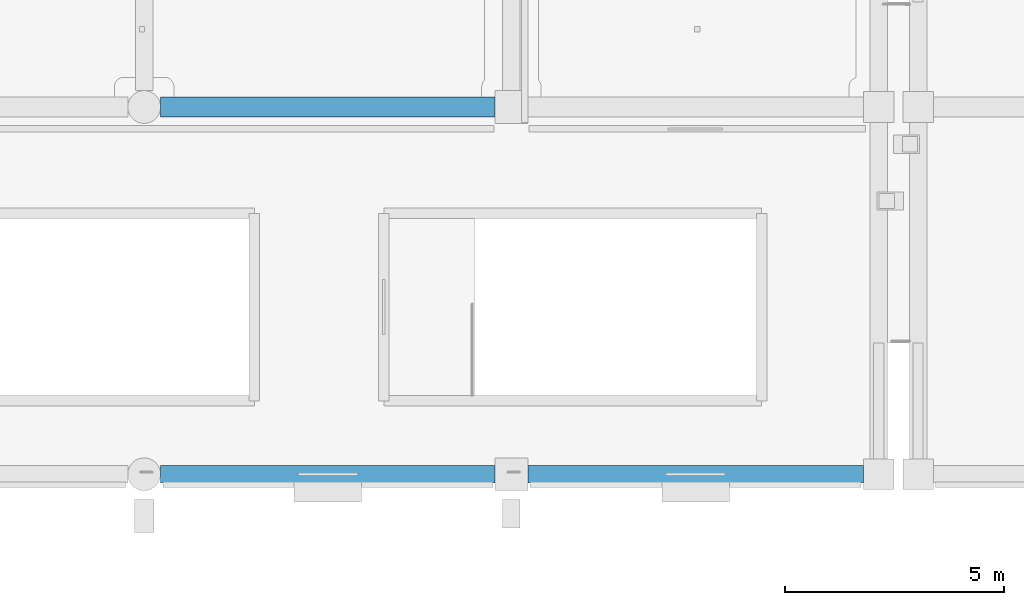
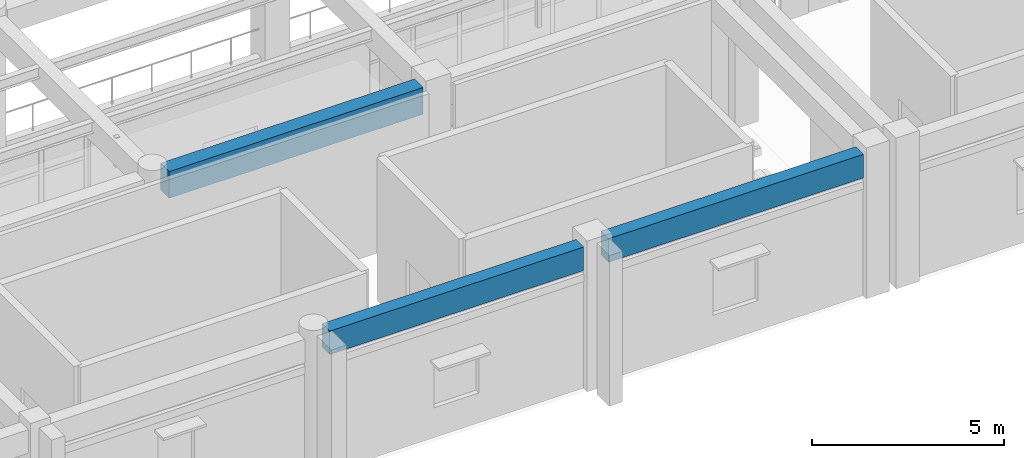
# One storey, part 8 of 111: 3 beams.
"""IFC4 building model written with IfcOpenShell, lengths in metres."""

from ifc_helpers import new_model, si_unit, direction, frame, origin, origin_2d, place, context, subcontext, project, spatial, rectangle, extrude, material, material_profile, profile_set, type_object, element, save


model = new_model("IFC4")

# Units and contexts
model_context = context("Model", 3, precision=1e-05, world=origin(), true_north=direction((0.0, 1.0)))
body_context = subcontext(model_context, "Body", "Model", "MODEL_VIEW")
ifc_project = project(units=[si_unit("LENGTHUNIT", "METRE"), si_unit("AREAUNIT", "SQUARE_METRE"), si_unit("VOLUMEUNIT", "CUBIC_METRE"), si_unit("PLANEANGLEUNIT", "RADIAN"), si_unit("MASSUNIT", "GRAM", prefix="KILO")], contexts=[model_context])

# Site, building, storey
site_placement = place(None, origin())
site = spatial("IfcSite", under=ifc_project, at=site_placement, CompositionType="ELEMENT")
building_placement = place(site_placement, origin())
building = spatial("IfcBuilding", under=site, at=building_placement, Name="Canglan Escarpment Cableway Terminal", CompositionType="ELEMENT")
storey_placement = place(building_placement, frame((0.0, 0.0, 4.800048828125)))
storey = spatial("IfcBuildingStorey", under=building, at=storey_placement, Name="L01", CompositionType="ELEMENT", Elevation=4.800048828125)

# Beams
ifc_material = material(Name="Concrete C40", Category="concrete")
ifc_material_profile_1 = material_profile(ifc_material, rectangle(XDim=0.449951171875, YDim=0.85009765625, at=origin_2d()), Name="RC 450x850")
ifc_profile_set_1 = profile_set([ifc_material_profile_1], Name="Concrete C40")
beam_type_1 = type_object("IfcBeamType", Name="BM-RC450x850", PredefinedType="BEAM", material=ifc_profile_set_1)
beam_1_placement = place(storey_placement, frame((25.175048828125, 16.39990234375, 4.0849609375), z_axis=(1.0, 0.0, 0.0), x_axis=(0.0, 1.0, 0.0)))
element("IfcBeam", 1, at=beam_1_placement, inside=storey, type_object=beam_type_1, Name="Primary structural girder B-02", PredefinedType="BEAM", context=body_context, shape_type="SweptSolid", body=[
    extrude(rectangle(XDim=0.449951171875, YDim=0.85009765625, at=origin_2d()), origin(), (0.0, 0.0, 1.0), 7.64990234375),
])
ifc_material_profile_2 = material_profile(ifc_material, rectangle(XDim=0.39990234375, YDim=0.75, at=origin_2d()), Name="RC 400x750")
ifc_profile_set_2 = profile_set([ifc_material_profile_2], Name="Concrete C40")
beam_type_2 = type_object("IfcBeamType", Name="SP-RC400x750", PredefinedType="SPANDREL", material=ifc_profile_set_2)
beam_2_placement = place(storey_placement, frame((25.175048828125, 8.0, 4.135009765625), z_axis=(1.0, 0.0, 0.0), x_axis=(0.0, 1.0, 0.0)))
element("IfcBeam", 2, at=beam_2_placement, inside=storey, type_object=beam_type_2, Name="Primary structural girder SP-01", PredefinedType="SPANDREL", context=body_context, shape_type="SweptSolid", body=[
    extrude(rectangle(XDim=0.39990234375, YDim=0.75, at=origin_2d()), origin(), (0.0, 0.0, 1.0), 7.64990234375),
])
beam_3_placement = place(storey_placement, frame((33.574951171875, 8.0, 4.135009765625), z_axis=(1.0, 0.0, 0.0), x_axis=(0.0, 1.0, 0.0)))
element("IfcBeam", 3, at=beam_3_placement, inside=storey, type_object=beam_type_2, Name="Primary structural girder SP-01", PredefinedType="SPANDREL", context=body_context, shape_type="SweptSolid", body=[
    extrude(rectangle(XDim=0.39990234375, YDim=0.75, at=origin_2d()), origin(), (0.0, 0.0, 1.0), 7.675048828125),
])

save(model, "model.ifc")
